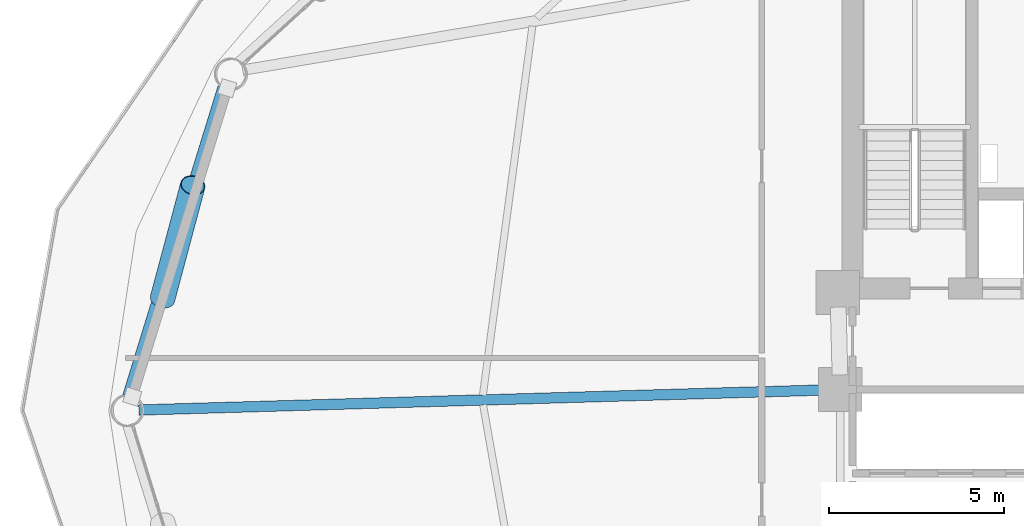
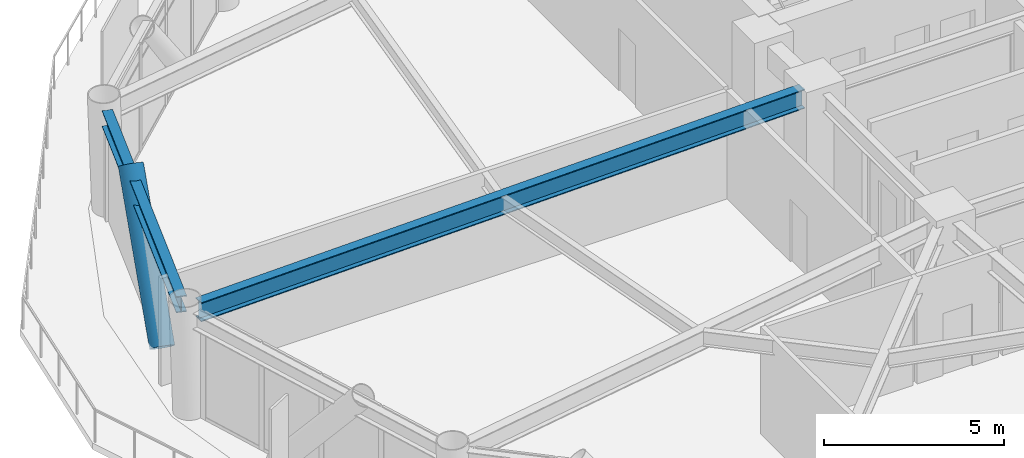
# One storey, part 9 of 25: 2 beams, 1 member.
"""IFC4 building model written with IfcOpenShell, lengths in metres."""

from ifc_helpers import new_model, si_unit, direction, frame, origin, origin_2d, place, context, subcontext, project, spatial, hollow_circle, i_section, extrude, material, material_profile, profile_set, type_object, element, save


model = new_model("IFC4")

# Units and contexts
model_context = context("Model", 3, precision=1e-05, world=origin(), true_north=direction((0.0, 1.0)))
body_context = subcontext(model_context, "Body", "Model", "MODEL_VIEW")
ifc_project = project(units=[si_unit("LENGTHUNIT", "METRE"), si_unit("AREAUNIT", "SQUARE_METRE"), si_unit("VOLUMEUNIT", "CUBIC_METRE"), si_unit("PLANEANGLEUNIT", "RADIAN"), si_unit("MASSUNIT", "GRAM", prefix="KILO")], contexts=[model_context])

# Site, building, storey
site_placement = place(None, origin())
site = spatial("IfcSite", under=ifc_project, at=site_placement, CompositionType="ELEMENT")
building_placement = place(site_placement, origin())
building = spatial("IfcBuilding", under=site, at=building_placement, Name="Varnakorn Sky Granary", CompositionType="ELEMENT")
storey_placement = place(building_placement, frame((0.0, 0.0, 54.89990234375)))
storey = spatial("IfcBuildingStorey", under=building, at=storey_placement, Name="L13", CompositionType="ELEMENT", Elevation=54.89990234375)

# Beams
ifc_material_1 = material(Name="Steel S355JR", Category="steel")
ifc_material_profile_1 = material_profile(ifc_material_1, i_section(OverallWidth=0.300048828125, OverallDepth=0.64990234375, WebThickness=0.01611328125, FlangeThickness=0.031005859375, at=origin_2d()), Name="HE 650 B")
ifc_profile_set_1 = profile_set([ifc_material_profile_1], Name="Steel S355JR")
beam_type_1 = type_object("IfcBeamType", Name="BM-RAD-Z1", PredefinedType="BEAM", material=ifc_profile_set_1)
beam_1_placement = place(storey_placement, frame((-2.769775390625, 0.587646484375, 3.315185546875), z_axis=(-0.999573725886, -0.029195316716, 0.0), x_axis=(0.029195316716, -0.999573725886, 0.0)))
element("IfcBeam", 1, at=beam_1_placement, inside=storey, type_object=beam_type_1, Name="Radial Floor Girder RG07 L13", PredefinedType="BEAM", context=body_context, shape_type="SweptSolid", body=[
    extrude(i_section(OverallWidth=0.300048828125, OverallDepth=0.64990234375, WebThickness=0.01611328125, FlangeThickness=0.031005859375, at=origin_2d()), origin(), (0.0, 0.0, 1.0), 19.684814453125),
])
ifc_material_profile_2 = material_profile(ifc_material_1, i_section(OverallWidth=0.300048828125, OverallDepth=0.550048828125, WebThickness=0.014892578125, FlangeThickness=0.029052734375, at=origin_2d()), Name="HE 550 B")
ifc_profile_set_2 = profile_set([ifc_material_profile_2], Name="Steel S355JR")
beam_type_2 = type_object("IfcBeamType", Name="BM-SPD-Z1", PredefinedType="SPANDREL", material=ifc_profile_set_2)
beam_2_placement = place(storey_placement, frame((-20.035888671875, 9.255126953125, 3.364990234375), z_axis=(-0.294496032873, -0.955652701886, 0.0), x_axis=(0.955652701886, -0.294496032873, 0.0)))
element("IfcBeam", 2, at=beam_2_placement, inside=storey, type_object=beam_type_2, Name="Perimeter Spandrel Ring Beam RB06 L13", PredefinedType="SPANDREL", context=body_context, shape_type="SweptSolid", body=[
    extrude(i_section(OverallWidth=0.300048828125, OverallDepth=0.550048828125, WebThickness=0.014892578125, FlangeThickness=0.029052734375, at=origin_2d()), origin(), (0.0, 0.0, 1.0), 9.24267578125),
])

# Member
ifc_material_2 = material(Name="Steel S460M", Category="steel")
ifc_material_profile_3 = material_profile(ifc_material_2, hollow_circle(Radius=0.35546875, WallThickness=0.02490234375, at=origin_2d()), Name="CHS 711x25")
ifc_profile_set_3 = profile_set([ifc_material_profile_3], Name="Steel S460M")
member_type = type_object("IfcMemberType", Name="MB-DIAG-T0", PredefinedType="BRACE", material=ifc_profile_set_3)
member_placement = place(storey_placement, frame((-21.765869140625, 3.208740234375, -0.1298828125), z_axis=(0.167848152746, 0.62838980071, 0.759574391343), x_axis=(-0.966128623264, 0.258061006952, 0.0)))
element("IfcMember", 3, at=member_placement, inside=storey, type_object=member_type, Name="Perimeter CHS Diagrid Brace DG06 L13", PredefinedType="BRACE", context=body_context, shape_type="SweptSolid", body=[
    extrude(hollow_circle(Radius=0.35546875, WallThickness=0.02490234375, at=origin_2d()), origin(), (0.0, 0.0, 1.0), 5.16064453125),
])

save(model, "model.ifc")
